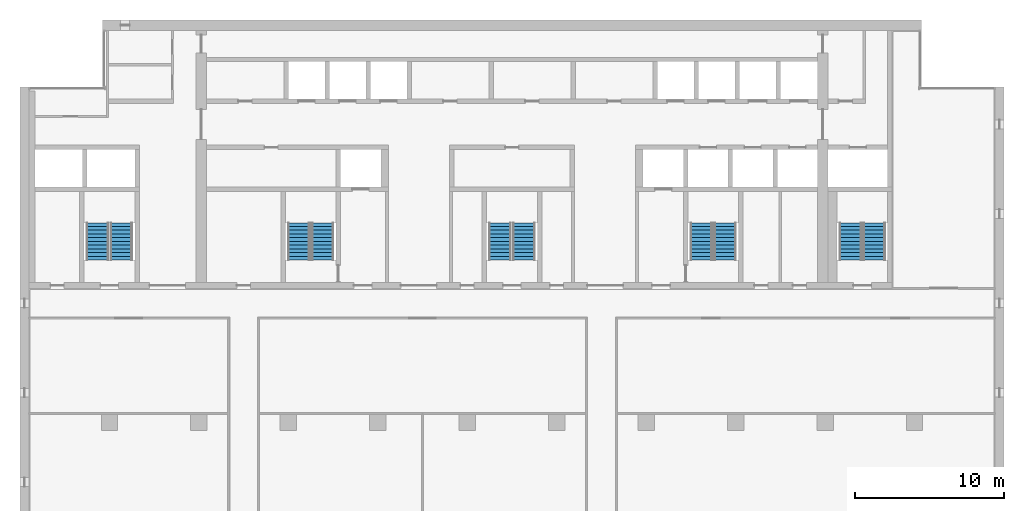
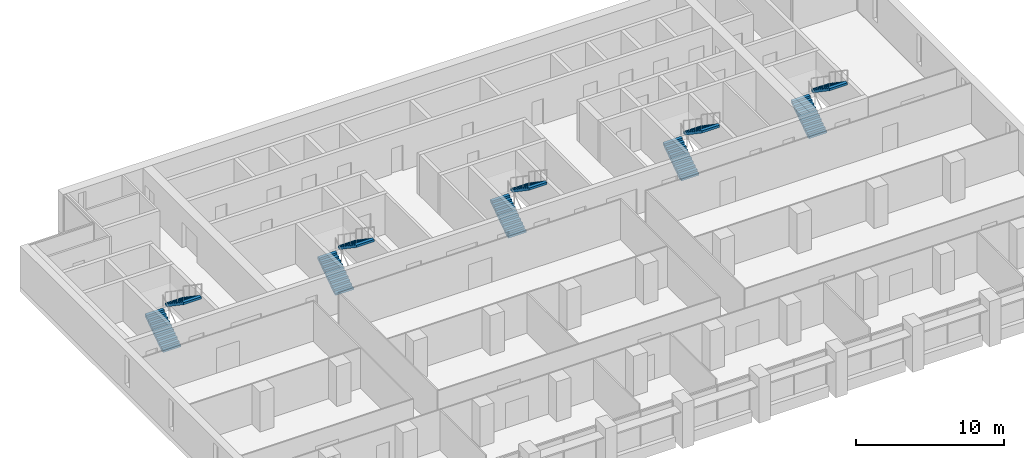
# One storey, part 13 of 17: 10 stair flights, 5 elements without a shape of their own.
"""IFC4 building model written with IfcOpenShell, lengths in metres."""

from ifc_helpers import new_model, si_unit, direction, frame, origin, place, context, subcontext, project, spatial, polyline, outline, extrude, material, type_object, element, aggregate, save


model = new_model("IFC4")

# Units and contexts
model_context = context("Model", 3, precision=1e-05, world=origin(), true_north=direction((0.0, 1.0)))
body_context = subcontext(model_context, "Body", "Model", "MODEL_VIEW")
ifc_project = project(units=[si_unit("LENGTHUNIT", "METRE"), si_unit("AREAUNIT", "SQUARE_METRE"), si_unit("VOLUMEUNIT", "CUBIC_METRE"), si_unit("PLANEANGLEUNIT", "RADIAN"), si_unit("MASSUNIT", "GRAM", prefix="KILO")], contexts=[model_context])

# Site, building, storey
site_placement = place(None, origin())
site = spatial("IfcSite", under=ifc_project, at=site_placement, CompositionType="ELEMENT")
building_placement = place(site_placement, origin())
building = spatial("IfcBuilding", under=site, at=building_placement, Name="Calvaro Tower", CompositionType="ELEMENT")
storey_placement = place(building_placement, frame((0.0, 0.0, 196.75)))
storey = spatial("IfcBuildingStorey", under=building, at=storey_placement, Name="L49", CompositionType="ELEMENT", Elevation=196.75)

# Stair, stair flights
ifc_material_1 = material(Name="Concrete C40/50", Category="concrete")
stair_type = type_object("IfcStairType", Name="Exit stair 1400 2 flights", PredefinedType="HALF_TURN_STAIR", material=ifc_material_1)
stair_1_placement = place(storey_placement, origin())
stair_1 = element("IfcStair", 1, at=stair_1_placement, inside=storey, type_object=stair_type, Name="Exit stair S1", PredefinedType="HALF_TURN_STAIR")
ifc_material_2 = material(Name="Concrete C40/50", Category="concrete")
stair_flight_type = type_object("IfcStairFlightType", Name="Stair flight", PredefinedType="STRAIGHT", material=ifc_material_2)
stair_flight_1_placement = place(storey_placement, frame((11.199951171875, 29.89990234375, 0.0), z_axis=(0.0, 0.0, 1.0), x_axis=(0.0, 1.0, 0.0)))
stair_flight_1 = element("IfcStairFlight", 2, at=stair_flight_1_placement, type_object=stair_flight_type, Name="Exit stair 1, flight 1", NumberOfRisers=11, NumberOfTreads=10, PredefinedType="STRAIGHT", RiserHeight=0.170454545, TreadLength=0.25, context=body_context, shape_type="SweptSolid", body=[
    extrude(outline(polyline([(0.0, 0.0), (0.0, 0.17041015625), (0.25, 0.17041015625), (0.25, 0.3408203125), (0.5, 0.3408203125), (0.5, 0.511474609375), (0.75, 0.511474609375), (0.75, 0.681884765625), (1.0, 0.681884765625), (1.0, 0.852294921875), (1.25, 0.852294921875), (1.25, 1.022705078125), (1.5, 1.022705078125), (1.5, 1.193115234375), (1.75, 1.193115234375), (1.75, 1.363525390625), (2.0, 1.363525390625), (2.0, 1.5341796875), (2.25, 1.5341796875), (2.25, 1.70458984375), (2.5, 1.70458984375), (2.5, 1.875), (2.5, 1.523193359375), (0.26611328125, 0.0), (0.0, 0.0)])), frame((0.0, 0.699951171875, 0.0), z_axis=(0.0, -1.0, 0.0), x_axis=(1.0, 0.0, 0.0)), (0.0, 0.0, 1.0), 1.39990234375),
])
stair_flight_2_placement = place(storey_placement, frame((12.800048828125, 32.39990234375, 1.875), z_axis=(0.0, 0.0, 1.0), x_axis=(0.0, -1.0, 0.0)))
stair_flight_2 = element("IfcStairFlight", 3, at=stair_flight_2_placement, type_object=stair_flight_type, Name="Exit stair 1, flight 2", NumberOfRisers=11, NumberOfTreads=10, PredefinedType="STRAIGHT", RiserHeight=0.170454545, TreadLength=0.25, context=body_context, shape_type="SweptSolid", body=[
    extrude(outline(polyline([(0.0, 0.0), (0.0, 0.17041015625), (0.25, 0.17041015625), (0.25, 0.3408203125), (0.5, 0.3408203125), (0.5, 0.511474609375), (0.75, 0.511474609375), (0.75, 0.681884765625), (1.0, 0.681884765625), (1.0, 0.852294921875), (1.25, 0.852294921875), (1.25, 1.022705078125), (1.5, 1.022705078125), (1.5, 1.193115234375), (1.75, 1.193115234375), (1.75, 1.363525390625), (2.0, 1.363525390625), (2.0, 1.5341796875), (2.25, 1.5341796875), (2.25, 1.70458984375), (2.5, 1.70458984375), (2.5, 1.875), (2.5, 1.523193359375), (0.26611328125, 0.0), (0.0, 0.0)])), frame((0.0, 0.699951171875, 0.0), z_axis=(0.0, -1.0, 0.0), x_axis=(1.0, 0.0, 0.0)), (0.0, 0.0, 1.0), 1.39990234375),
])
aggregate(stair_1, [stair_flight_1, stair_flight_2])

stair_2_placement = place(storey_placement, origin())
stair_2 = element("IfcStair", 4, at=stair_2_placement, inside=storey, type_object=stair_type, Name="Exit stair S2", PredefinedType="HALF_TURN_STAIR")
stair_flight_3_placement = place(storey_placement, frame((24.699951171875, 29.89990234375, 0.0), z_axis=(0.0, 0.0, 1.0), x_axis=(0.0, 1.0, 0.0)))
stair_flight_3 = element("IfcStairFlight", 5, at=stair_flight_3_placement, type_object=stair_flight_type, Name="Exit stair 2, flight 1", NumberOfRisers=11, NumberOfTreads=10, PredefinedType="STRAIGHT", RiserHeight=0.170454545, TreadLength=0.25, context=body_context, shape_type="SweptSolid", body=[
    extrude(outline(polyline([(0.0, 0.0), (0.0, 0.17041015625), (0.25, 0.17041015625), (0.25, 0.3408203125), (0.5, 0.3408203125), (0.5, 0.511474609375), (0.75, 0.511474609375), (0.75, 0.681884765625), (1.0, 0.681884765625), (1.0, 0.852294921875), (1.25, 0.852294921875), (1.25, 1.022705078125), (1.5, 1.022705078125), (1.5, 1.193115234375), (1.75, 1.193115234375), (1.75, 1.363525390625), (2.0, 1.363525390625), (2.0, 1.5341796875), (2.25, 1.5341796875), (2.25, 1.70458984375), (2.5, 1.70458984375), (2.5, 1.875), (2.5, 1.523193359375), (0.26611328125, 0.0), (0.0, 0.0)])), frame((0.0, 0.699951171875, 0.0), z_axis=(0.0, -1.0, 0.0), x_axis=(1.0, 0.0, 0.0)), (0.0, 0.0, 1.0), 1.39990234375),
])
stair_flight_4_placement = place(storey_placement, frame((26.300048828125, 32.39990234375, 1.875), z_axis=(0.0, 0.0, 1.0), x_axis=(0.0, -1.0, 0.0)))
stair_flight_4 = element("IfcStairFlight", 6, at=stair_flight_4_placement, type_object=stair_flight_type, Name="Exit stair 2, flight 2", NumberOfRisers=11, NumberOfTreads=10, PredefinedType="STRAIGHT", RiserHeight=0.170454545, TreadLength=0.25, context=body_context, shape_type="SweptSolid", body=[
    extrude(outline(polyline([(0.0, 0.0), (0.0, 0.17041015625), (0.25, 0.17041015625), (0.25, 0.3408203125), (0.5, 0.3408203125), (0.5, 0.511474609375), (0.75, 0.511474609375), (0.75, 0.681884765625), (1.0, 0.681884765625), (1.0, 0.852294921875), (1.25, 0.852294921875), (1.25, 1.022705078125), (1.5, 1.022705078125), (1.5, 1.193115234375), (1.75, 1.193115234375), (1.75, 1.363525390625), (2.0, 1.363525390625), (2.0, 1.5341796875), (2.25, 1.5341796875), (2.25, 1.70458984375), (2.5, 1.70458984375), (2.5, 1.875), (2.5, 1.523193359375), (0.26611328125, 0.0), (0.0, 0.0)])), frame((0.0, 0.699951171875, 0.0), z_axis=(0.0, -1.0, 0.0), x_axis=(1.0, 0.0, 0.0)), (0.0, 0.0, 1.0), 1.39990234375),
])
aggregate(stair_2, [stair_flight_3, stair_flight_4])

stair_3_placement = place(storey_placement, origin())
stair_3 = element("IfcStair", 7, at=stair_3_placement, inside=storey, type_object=stair_type, Name="Exit stair S3", PredefinedType="HALF_TURN_STAIR")
stair_flight_5_placement = place(storey_placement, frame((38.199951171875, 29.89990234375, 0.0), z_axis=(0.0, 0.0, 1.0), x_axis=(0.0, 1.0, 0.0)))
stair_flight_5 = element("IfcStairFlight", 8, at=stair_flight_5_placement, type_object=stair_flight_type, Name="Exit stair 3, flight 1", NumberOfRisers=11, NumberOfTreads=10, PredefinedType="STRAIGHT", RiserHeight=0.170454545, TreadLength=0.25, context=body_context, shape_type="SweptSolid", body=[
    extrude(outline(polyline([(0.0, 0.0), (0.0, 0.17041015625), (0.25, 0.17041015625), (0.25, 0.3408203125), (0.5, 0.3408203125), (0.5, 0.511474609375), (0.75, 0.511474609375), (0.75, 0.681884765625), (1.0, 0.681884765625), (1.0, 0.852294921875), (1.25, 0.852294921875), (1.25, 1.022705078125), (1.5, 1.022705078125), (1.5, 1.193115234375), (1.75, 1.193115234375), (1.75, 1.363525390625), (2.0, 1.363525390625), (2.0, 1.5341796875), (2.25, 1.5341796875), (2.25, 1.70458984375), (2.5, 1.70458984375), (2.5, 1.875), (2.5, 1.523193359375), (0.26611328125, 0.0), (0.0, 0.0)])), frame((0.0, 0.699951171875, 0.0), z_axis=(0.0, -1.0, 0.0), x_axis=(1.0, 0.0, 0.0)), (0.0, 0.0, 1.0), 1.39990234375),
])
stair_flight_6_placement = place(storey_placement, frame((39.800048828125, 32.39990234375, 1.875), z_axis=(0.0, 0.0, 1.0), x_axis=(0.0, -1.0, 0.0)))
stair_flight_6 = element("IfcStairFlight", 9, at=stair_flight_6_placement, type_object=stair_flight_type, Name="Exit stair 3, flight 2", NumberOfRisers=11, NumberOfTreads=10, PredefinedType="STRAIGHT", RiserHeight=0.170454545, TreadLength=0.25, context=body_context, shape_type="SweptSolid", body=[
    extrude(outline(polyline([(0.0, 0.0), (0.0, 0.17041015625), (0.25, 0.17041015625), (0.25, 0.3408203125), (0.5, 0.3408203125), (0.5, 0.511474609375), (0.75, 0.511474609375), (0.75, 0.681884765625), (1.0, 0.681884765625), (1.0, 0.852294921875), (1.25, 0.852294921875), (1.25, 1.022705078125), (1.5, 1.022705078125), (1.5, 1.193115234375), (1.75, 1.193115234375), (1.75, 1.363525390625), (2.0, 1.363525390625), (2.0, 1.5341796875), (2.25, 1.5341796875), (2.25, 1.70458984375), (2.5, 1.70458984375), (2.5, 1.875), (2.5, 1.523193359375), (0.26611328125, 0.0), (0.0, 0.0)])), frame((0.0, 0.699951171875, 0.0), z_axis=(0.0, -1.0, 0.0), x_axis=(1.0, 0.0, 0.0)), (0.0, 0.0, 1.0), 1.39990234375),
])
aggregate(stair_3, [stair_flight_5, stair_flight_6])

stair_4_placement = place(storey_placement, origin())
stair_4 = element("IfcStair", 10, at=stair_4_placement, inside=storey, type_object=stair_type, Name="Exit stair S4", PredefinedType="HALF_TURN_STAIR")
stair_flight_7_placement = place(storey_placement, frame((51.699951171875, 29.89990234375, 0.0), z_axis=(0.0, 0.0, 1.0), x_axis=(0.0, 1.0, 0.0)))
stair_flight_7 = element("IfcStairFlight", 11, at=stair_flight_7_placement, type_object=stair_flight_type, Name="Exit stair 4, flight 1", NumberOfRisers=11, NumberOfTreads=10, PredefinedType="STRAIGHT", RiserHeight=0.170454545, TreadLength=0.25, context=body_context, shape_type="SweptSolid", body=[
    extrude(outline(polyline([(0.0, 0.0), (0.0, 0.17041015625), (0.25, 0.17041015625), (0.25, 0.3408203125), (0.5, 0.3408203125), (0.5, 0.511474609375), (0.75, 0.511474609375), (0.75, 0.681884765625), (1.0, 0.681884765625), (1.0, 0.852294921875), (1.25, 0.852294921875), (1.25, 1.022705078125), (1.5, 1.022705078125), (1.5, 1.193115234375), (1.75, 1.193115234375), (1.75, 1.363525390625), (2.0, 1.363525390625), (2.0, 1.5341796875), (2.25, 1.5341796875), (2.25, 1.70458984375), (2.5, 1.70458984375), (2.5, 1.875), (2.5, 1.523193359375), (0.26611328125, 0.0), (0.0, 0.0)])), frame((0.0, 0.699951171875, 0.0), z_axis=(0.0, -1.0, 0.0), x_axis=(1.0, 0.0, 0.0)), (0.0, 0.0, 1.0), 1.39990234375),
])
stair_flight_8_placement = place(storey_placement, frame((53.300048828125, 32.39990234375, 1.875), z_axis=(0.0, 0.0, 1.0), x_axis=(0.0, -1.0, 0.0)))
stair_flight_8 = element("IfcStairFlight", 12, at=stair_flight_8_placement, type_object=stair_flight_type, Name="Exit stair 4, flight 2", NumberOfRisers=11, NumberOfTreads=10, PredefinedType="STRAIGHT", RiserHeight=0.170454545, TreadLength=0.25, context=body_context, shape_type="SweptSolid", body=[
    extrude(outline(polyline([(0.0, 0.0), (0.0, 0.17041015625), (0.25, 0.17041015625), (0.25, 0.3408203125), (0.5, 0.3408203125), (0.5, 0.511474609375), (0.75, 0.511474609375), (0.75, 0.681884765625), (1.0, 0.681884765625), (1.0, 0.852294921875), (1.25, 0.852294921875), (1.25, 1.022705078125), (1.5, 1.022705078125), (1.5, 1.193115234375), (1.75, 1.193115234375), (1.75, 1.363525390625), (2.0, 1.363525390625), (2.0, 1.5341796875), (2.25, 1.5341796875), (2.25, 1.70458984375), (2.5, 1.70458984375), (2.5, 1.875), (2.5, 1.523193359375), (0.26611328125, 0.0), (0.0, 0.0)])), frame((0.0, 0.699951171875, 0.0), z_axis=(0.0, -1.0, 0.0), x_axis=(1.0, 0.0, 0.0)), (0.0, 0.0, 1.0), 1.39990234375),
])
aggregate(stair_4, [stair_flight_7, stair_flight_8])

stair_5_placement = place(storey_placement, origin())
stair_5 = element("IfcStair", 13, at=stair_5_placement, inside=storey, type_object=stair_type, Name="Exit stair S5", PredefinedType="HALF_TURN_STAIR")
stair_flight_9_placement = place(storey_placement, frame((61.699951171875, 29.89990234375, 0.0), z_axis=(0.0, 0.0, 1.0), x_axis=(0.0, 1.0, 0.0)))
stair_flight_9 = element("IfcStairFlight", 14, at=stair_flight_9_placement, type_object=stair_flight_type, Name="Exit stair 5, flight 1", NumberOfRisers=11, NumberOfTreads=10, PredefinedType="STRAIGHT", RiserHeight=0.170454545, TreadLength=0.25, context=body_context, shape_type="SweptSolid", body=[
    extrude(outline(polyline([(0.0, 0.0), (0.0, 0.17041015625), (0.25, 0.17041015625), (0.25, 0.3408203125), (0.5, 0.3408203125), (0.5, 0.511474609375), (0.75, 0.511474609375), (0.75, 0.681884765625), (1.0, 0.681884765625), (1.0, 0.852294921875), (1.25, 0.852294921875), (1.25, 1.022705078125), (1.5, 1.022705078125), (1.5, 1.193115234375), (1.75, 1.193115234375), (1.75, 1.363525390625), (2.0, 1.363525390625), (2.0, 1.5341796875), (2.25, 1.5341796875), (2.25, 1.70458984375), (2.5, 1.70458984375), (2.5, 1.875), (2.5, 1.523193359375), (0.26611328125, 0.0), (0.0, 0.0)])), frame((0.0, 0.699951171875, 0.0), z_axis=(0.0, -1.0, 0.0), x_axis=(1.0, 0.0, 0.0)), (0.0, 0.0, 1.0), 1.39990234375),
])
stair_flight_10_placement = place(storey_placement, frame((63.300048828125, 32.39990234375, 1.875), z_axis=(0.0, 0.0, 1.0), x_axis=(0.0, -1.0, 0.0)))
stair_flight_10 = element("IfcStairFlight", 15, at=stair_flight_10_placement, type_object=stair_flight_type, Name="Exit stair 5, flight 2", NumberOfRisers=11, NumberOfTreads=10, PredefinedType="STRAIGHT", RiserHeight=0.170454545, TreadLength=0.25, context=body_context, shape_type="SweptSolid", body=[
    extrude(outline(polyline([(0.0, 0.0), (0.0, 0.17041015625), (0.25, 0.17041015625), (0.25, 0.3408203125), (0.5, 0.3408203125), (0.5, 0.511474609375), (0.75, 0.511474609375), (0.75, 0.681884765625), (1.0, 0.681884765625), (1.0, 0.852294921875), (1.25, 0.852294921875), (1.25, 1.022705078125), (1.5, 1.022705078125), (1.5, 1.193115234375), (1.75, 1.193115234375), (1.75, 1.363525390625), (2.0, 1.363525390625), (2.0, 1.5341796875), (2.25, 1.5341796875), (2.25, 1.70458984375), (2.5, 1.70458984375), (2.5, 1.875), (2.5, 1.523193359375), (0.26611328125, 0.0), (0.0, 0.0)])), frame((0.0, 0.699951171875, 0.0), z_axis=(0.0, -1.0, 0.0), x_axis=(1.0, 0.0, 0.0)), (0.0, 0.0, 1.0), 1.39990234375),
])
aggregate(stair_5, [stair_flight_9, stair_flight_10])

save(model, "model.ifc")
